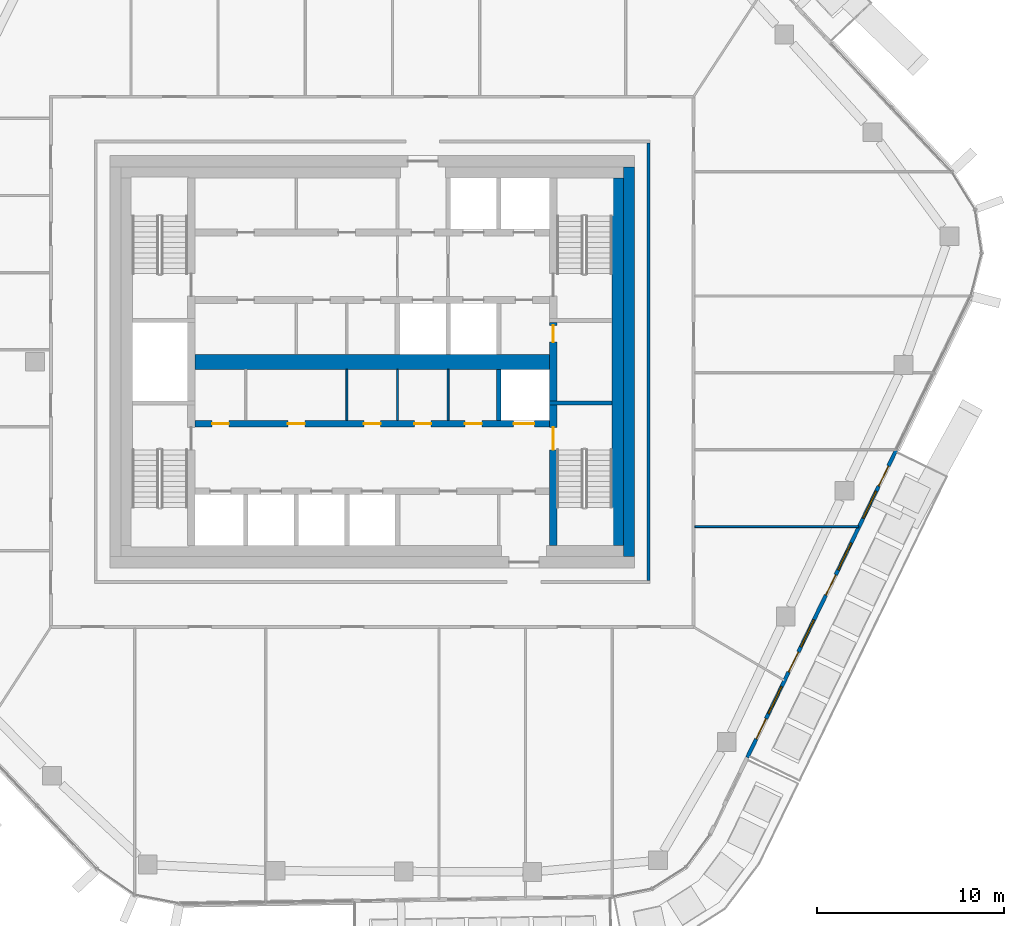
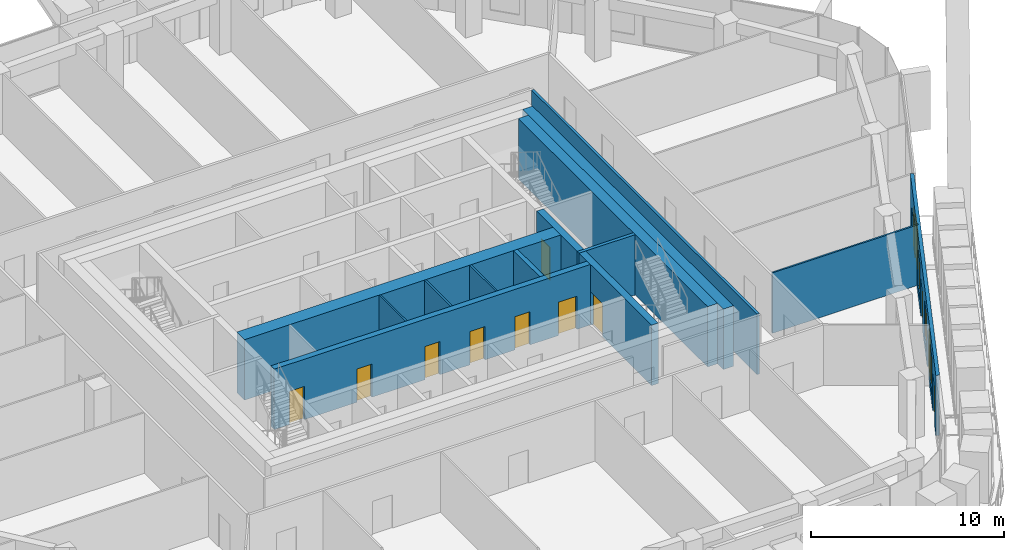
# One storey, part 14 of 24: 14 walls, 12 doors, 4 windows, 16 openings.
"""IFC4 building model written with IfcOpenShell, lengths in metres."""

from ifc_helpers import new_model, si_unit, direction, frame, frame_2d, origin, place, context, subcontext, project, spatial, rectangle, extrude, material, layer, layer_set, type_object, element, fill, save


model = new_model("IFC4")

# Units and contexts
model_context = context("Model", 3, precision=1e-05, world=origin(), true_north=direction((0.0, 1.0)))
body_context = subcontext(model_context, "Body", "Model", "MODEL_VIEW")
ifc_project = project(units=[si_unit("LENGTHUNIT", "METRE"), si_unit("AREAUNIT", "SQUARE_METRE"), si_unit("VOLUMEUNIT", "CUBIC_METRE"), si_unit("PLANEANGLEUNIT", "RADIAN"), si_unit("MASSUNIT", "GRAM", prefix="KILO")], contexts=[model_context])

# Site, building, storey
site_placement = place(None, origin())
site = spatial("IfcSite", under=ifc_project, at=site_placement, CompositionType="ELEMENT")
building_placement = place(site_placement, origin())
building = spatial("IfcBuilding", under=site, at=building_placement, Name="Dongbaek Canopy Tower", CompositionType="ELEMENT")
storey_placement = place(building_placement, frame((0.0, 0.0, 298.39990234375)))
storey = spatial("IfcBuildingStorey", under=building, at=storey_placement, Name="L63", CompositionType="ELEMENT", Elevation=298.39990234375)

# Wall
ifc_material_1 = material(Name="Concrete C60/75", Category="concrete")
ifc_layer_1 = layer(ifc_material_1, 0.800048828125)
ifc_layer_set_1 = layer_set([ifc_layer_1], Name="Core central wall 800 Concrete C60/75")
wall_type_1 = type_object("IfcWallType", Name="Core central wall 800 Concrete C60/75", PredefinedType="SHEAR", material=ifc_layer_set_1)
wall_1_placement = place(storey_placement, frame((-9.449951171875, 0.0, 0.0), z_axis=(0.0, 0.0, 1.0), x_axis=(1.0, 0.0, 0.0)))
element("IfcWall", 1, at=wall_1_placement, inside=storey, type_object=wall_type_1, Name="Core wall", PredefinedType="SHEAR", context=body_context, shape_type="SweptSolid", body=[
    extrude(rectangle(XDim=18.89990234375, YDim=0.800048828125, at=frame_2d((9.449951171875, 0.0))), origin(), (0.0, 0.0, 1.0), 3.820068359375),
])

# Wall, openings, doors
ifc_material_2 = material(Name="Concrete C60/75", Category="concrete")
ifc_layer_2 = layer(ifc_material_2, 0.35009765625)
ifc_layer_set_2 = layer_set([ifc_layer_2], Name="Core lobby wall 350 Concrete C60/75")
wall_type_2 = type_object("IfcWallType", Name="Core lobby wall 350 Concrete C60/75", PredefinedType="SHEAR", material=ifc_layer_set_2)
wall_2_placement = place(storey_placement, frame((-9.449951171875, -3.300048828125, 0.0), z_axis=(0.0, 0.0, 1.0), x_axis=(1.0, 0.0, 0.0)))
wall_2 = element("IfcWall", 2, at=wall_2_placement, inside=storey, type_object=wall_type_2, Name="Core wall", PredefinedType="SHEAR", context=body_context, shape_type="SweptSolid", body=[
    extrude(rectangle(XDim=18.89990234375, YDim=0.35009765625, at=frame_2d((9.449951171875, 0.0))), origin(), (0.0, 0.0, 1.0), 3.820068359375),
])
opening_1_placement = place(wall_2_placement, frame((17.0, 0.0, 0.0)))
opening_1 = element("IfcOpeningElement", 3, at=opening_1_placement, cuts=wall_2, Name="Opening L63-D034", PredefinedType="OPENING", context=body_context, shape_type="SweptSolid", body=[
    extrude(rectangle(XDim=1.10009765625, YDim=2.10009765625, at=frame_2d((0.550048828125, 1.050048828125))), frame((0.0, 0.18505859375, 0.0), z_axis=(0.0, -1.0, 0.0), x_axis=(1.0, 0.0, 0.0)), (0.0, 0.0, 1.0), 0.3701171875),
])
opening_2_placement = place(wall_2_placement, frame((0.89990234375, 0.0, 0.0)))
opening_2 = element("IfcOpeningElement", 4, at=opening_2_placement, cuts=wall_2, Name="Opening L63-D046", PredefinedType="OPENING", context=body_context, shape_type="SweptSolid", body=[
    extrude(rectangle(XDim=0.89990234375, YDim=2.10009765625, at=frame_2d((0.449951171875, 1.050048828125))), frame((0.0, 0.18505859375, 0.0), z_axis=(0.0, -1.0, 0.0), x_axis=(1.0, 0.0, 0.0)), (0.0, 0.0, 1.0), 0.3701171875),
])
opening_3_placement = place(wall_2_placement, frame((4.949951171875, 0.0, 0.0)))
opening_3 = element("IfcOpeningElement", 5, at=opening_3_placement, cuts=wall_2, Name="Opening L63-D047", PredefinedType="OPENING", context=body_context, shape_type="SweptSolid", body=[
    extrude(rectangle(XDim=0.89990234375, YDim=2.10009765625, at=frame_2d((0.449951171875, 1.050048828125))), frame((0.0, 0.18505859375, 0.0), z_axis=(0.0, -1.0, 0.0), x_axis=(1.0, 0.0, 0.0)), (0.0, 0.0, 1.0), 0.3701171875),
])
opening_4_placement = place(wall_2_placement, frame((9.0, 0.0, 0.0)))
opening_4 = element("IfcOpeningElement", 6, at=opening_4_placement, cuts=wall_2, Name="Opening L63-D048", PredefinedType="OPENING", context=body_context, shape_type="SweptSolid", body=[
    extrude(rectangle(XDim=0.89990234375, YDim=2.10009765625, at=frame_2d((0.449951171875, 1.050048828125))), frame((0.0, 0.18505859375, 0.0), z_axis=(0.0, -1.0, 0.0), x_axis=(1.0, 0.0, 0.0)), (0.0, 0.0, 1.0), 0.3701171875),
])
opening_5_placement = place(wall_2_placement, frame((11.699951171875, 0.0, 0.0)))
opening_5 = element("IfcOpeningElement", 7, at=opening_5_placement, cuts=wall_2, Name="Opening L63-D049", PredefinedType="OPENING", context=body_context, shape_type="SweptSolid", body=[
    extrude(rectangle(XDim=0.89990234375, YDim=2.10009765625, at=frame_2d((0.449951171875, 1.050048828125))), frame((0.0, 0.18505859375, 0.0), z_axis=(0.0, -1.0, 0.0), x_axis=(1.0, 0.0, 0.0)), (0.0, 0.0, 1.0), 0.3701171875),
])
opening_6_placement = place(wall_2_placement, frame((14.39990234375, 0.0, 0.0)))
opening_6 = element("IfcOpeningElement", 8, at=opening_6_placement, cuts=wall_2, Name="Opening L63-D050", PredefinedType="OPENING", context=body_context, shape_type="SweptSolid", body=[
    extrude(rectangle(XDim=0.89990234375, YDim=2.10009765625, at=frame_2d((0.449951171875, 1.050048828125))), frame((0.0, 0.18505859375, 0.0), z_axis=(0.0, -1.0, 0.0), x_axis=(1.0, 0.0, 0.0)), (0.0, 0.0, 1.0), 0.3701171875),
])
ifc_material_3 = material(Name="Steel", Category="steel")
door_type_1 = type_object("IfcDoorType", Name="Core room door 900 x 2100", OperationType="SINGLE_SWING_LEFT", PredefinedType="DOOR", material=ifc_material_3)
door_1_placement = place(opening_2_placement, origin())
door_1 = element("IfcDoor", 9, at=door_1_placement, inside=storey, type_object=door_type_1, Name="Door L63-D046", OperationType="SINGLE_SWING_LEFT", OverallHeight=2.10009765625, OverallWidth=0.89990234375, PredefinedType="DOOR", context=body_context, shape_type="SweptSolid", body=[
    extrude(rectangle(XDim=0.89990234375, YDim=2.10009765625, at=frame_2d((0.449951171875, 1.050048828125))), frame((0.0, 0.02490234375, 0.0), z_axis=(0.0, -1.0, 0.0), x_axis=(1.0, 0.0, 0.0)), (0.0, 0.0, 1.0), 0.050048828125),
])
fill(opening_2, door_1)
door_2_placement = place(opening_3_placement, origin())
door_2 = element("IfcDoor", 10, at=door_2_placement, inside=storey, type_object=door_type_1, Name="Door L63-D047", OperationType="SINGLE_SWING_RIGHT", OverallHeight=2.10009765625, OverallWidth=0.89990234375, PredefinedType="DOOR", context=body_context, shape_type="SweptSolid", body=[
    extrude(rectangle(XDim=0.89990234375, YDim=2.10009765625, at=frame_2d((0.449951171875, 1.050048828125))), frame((0.0, 0.02490234375, 0.0), z_axis=(0.0, -1.0, 0.0), x_axis=(1.0, 0.0, 0.0)), (0.0, 0.0, 1.0), 0.050048828125),
])
fill(opening_3, door_2)
door_3_placement = place(opening_4_placement, origin())
door_3 = element("IfcDoor", 11, at=door_3_placement, inside=storey, type_object=door_type_1, Name="Door L63-D048", OperationType="SINGLE_SWING_LEFT", OverallHeight=2.10009765625, OverallWidth=0.89990234375, PredefinedType="DOOR", context=body_context, shape_type="SweptSolid", body=[
    extrude(rectangle(XDim=0.89990234375, YDim=2.10009765625, at=frame_2d((0.449951171875, 1.050048828125))), frame((0.0, 0.02490234375, 0.0), z_axis=(0.0, -1.0, 0.0), x_axis=(1.0, 0.0, 0.0)), (0.0, 0.0, 1.0), 0.050048828125),
])
fill(opening_4, door_3)
door_4_placement = place(opening_5_placement, origin())
door_4 = element("IfcDoor", 12, at=door_4_placement, inside=storey, type_object=door_type_1, Name="Door L63-D049", OperationType="SINGLE_SWING_RIGHT", OverallHeight=2.10009765625, OverallWidth=0.89990234375, PredefinedType="DOOR", context=body_context, shape_type="SweptSolid", body=[
    extrude(rectangle(XDim=0.89990234375, YDim=2.10009765625, at=frame_2d((0.449951171875, 1.050048828125))), frame((0.0, 0.02490234375, 0.0), z_axis=(0.0, -1.0, 0.0), x_axis=(1.0, 0.0, 0.0)), (0.0, 0.0, 1.0), 0.050048828125),
])
fill(opening_5, door_4)
door_5_placement = place(opening_6_placement, origin())
door_5 = element("IfcDoor", 13, at=door_5_placement, inside=storey, type_object=door_type_1, Name="Door L63-D050", OperationType="SINGLE_SWING_LEFT", OverallHeight=2.10009765625, OverallWidth=0.89990234375, PredefinedType="DOOR", context=body_context, shape_type="SweptSolid", body=[
    extrude(rectangle(XDim=0.89990234375, YDim=2.10009765625, at=frame_2d((0.449951171875, 1.050048828125))), frame((0.0, 0.02490234375, 0.0), z_axis=(0.0, -1.0, 0.0), x_axis=(1.0, 0.0, 0.0)), (0.0, 0.0, 1.0), 0.050048828125),
])
fill(opening_6, door_5)
ifc_material_4 = material(Name="Stainless steel", Category="steel")
door_type_2 = type_object("IfcDoorType", Name="Lift landing door 1100 x 2100", OperationType="DOUBLE_DOOR_SLIDING", PredefinedType="DOOR", material=ifc_material_4)
door_6_placement = place(opening_1_placement, origin())
door_6 = element("IfcDoor", 14, at=door_6_placement, inside=storey, type_object=door_type_2, Name="Landing door SV2", OperationType="DOUBLE_DOOR_SLIDING", OverallHeight=2.10009765625, OverallWidth=1.10009765625, PredefinedType="DOOR", context=body_context, shape_type="SweptSolid", body=[
    extrude(rectangle(XDim=1.10009765625, YDim=2.10009765625, at=frame_2d((0.550048828125, 1.050048828125))), frame((0.0, 0.02490234375, 0.0), z_axis=(0.0, -1.0, 0.0), x_axis=(1.0, 0.0, 0.0)), (0.0, 0.0, 1.0), 0.050048828125),
])
fill(opening_1, door_6)

# Walls
ifc_material_5 = material(Name="Concrete C80/95", Category="concrete")
ifc_layer_3 = layer(ifc_material_5, 0.60009765625)
ifc_layer_set_3 = layer_set([ifc_layer_3], Name="Core outer wall 600 Concrete C80/95")
wall_type_3 = type_object("IfcWallType", Name="Core outer wall 600 Concrete C80/95", PredefinedType="SHEAR", material=ifc_layer_set_3)
wall_3_placement = place(storey_placement, frame((13.699951171875, 10.39990234375, 0.0), z_axis=(0.0, 0.0, 1.0), x_axis=(0.0, -1.0, 0.0)))
element("IfcWall", 15, at=wall_3_placement, inside=storey, type_object=wall_type_3, Name="Core wall", PredefinedType="SHEAR", context=body_context, shape_type="SweptSolid", body=[
    extrude(rectangle(XDim=20.7998046875, YDim=0.60009765625, at=frame_2d((10.39990234375, 0.0))), origin(), (0.0, 0.0, 1.0), 3.820068359375),
])
ifc_material_6 = material(Name="Concrete C60/75", Category="concrete")
ifc_layer_4 = layer(ifc_material_6, 0.60009765625)
ifc_layer_set_4 = layer_set([ifc_layer_4], Name="Core wall lining 600 Concrete C60/75")
wall_type_4 = type_object("IfcWallType", Name="Core wall lining 600 Concrete C60/75", PredefinedType="SHEAR", material=ifc_layer_set_4)
wall_4_placement = place(storey_placement, frame((13.10009765625, 9.800048828125, 0.0), z_axis=(0.0, 0.0, 1.0), x_axis=(0.0, -1.0, 0.0)))
element("IfcWall", 16, at=wall_4_placement, inside=storey, type_object=wall_type_4, Name="Core wall lining", PredefinedType="SHEAR", context=body_context, shape_type="SweptSolid", body=[
    extrude(rectangle(XDim=19.60009765625, YDim=0.60009765625, at=frame_2d((9.800048828125, 0.0))), origin(), (0.0, 0.0, 1.0), 3.820068359375),
])
ifc_material_7 = material(Name="Gypsum board partition, steel stud, 2 x 15 mm fire board", Category="steel")
ifc_layer_5 = layer(ifc_material_7, 0.14990234375)
ifc_layer_set_5 = layer_set([ifc_layer_5], Name="Fire-rated partition 150 gypsum board")
wall_type_5 = type_object("IfcWallType", Name="Fire-rated partition 150 gypsum board", PredefinedType="PARTITIONING", material=ifc_layer_set_5)
wall_5_placement = place(storey_placement, frame((14.75, -11.675048828125, 0.0), z_axis=(0.0, 0.0, 1.0), x_axis=(0.0, 1.0, 0.0)))
element("IfcWall", 17, at=wall_5_placement, inside=storey, type_object=wall_type_5, Name="Corridor partition", PredefinedType="PARTITIONING", context=body_context, shape_type="SweptSolid", body=[
    extrude(rectangle(XDim=23.35009765625, YDim=0.14990234375, at=frame_2d((11.675048828125, 0.0))), origin(), (0.0, 0.0, 1.0), 3.820068359375),
])
ifc_material_8 = material(Name="Concrete C40/50", Category="concrete")
ifc_layer_6 = layer(ifc_material_8, 0.25)
ifc_layer_set_6 = layer_set([ifc_layer_6], Name="Lift shaft wall 250 Concrete C40/50")
wall_type_6 = type_object("IfcWallType", Name="Lift shaft wall 250 Concrete C40/50", PredefinedType="SOLIDWALL", material=ifc_layer_set_6)
wall_6_placement = place(storey_placement, frame((6.75, -3.125, 0.0), z_axis=(0.0, 0.0, 1.0), x_axis=(0.0, 1.0, 0.0)))
element("IfcWall", 18, at=wall_6_placement, inside=storey, type_object=wall_type_6, Name="Lift shaft wall", PredefinedType="SOLIDWALL", context=body_context, shape_type="SweptSolid", body=[
    extrude(rectangle(XDim=2.72509765625, YDim=0.25, at=frame_2d((1.362548828125, 0.0))), origin(), (0.0, 0.0, 1.0), 3.820068359375),
])
ifc_material_9 = material(Name="Gypsum board partition, steel stud, 2 x 12.5 mm board", Category="steel")
ifc_layer_7 = layer(ifc_material_9, 0.10009765625)
ifc_layer_set_7 = layer_set([ifc_layer_7], Name="Partition 100 gypsum board")
wall_type_7 = type_object("IfcWallType", Name="Partition 100 gypsum board", PredefinedType="PARTITIONING", material=ifc_layer_set_7)
wall_7_placement = place(storey_placement, frame((17.22509765625, -8.798095703125, 0.0), z_axis=(0.0, 0.0, 1.0), x_axis=(1.0, 0.0, 0.0)))
element("IfcWall", 19, at=wall_7_placement, inside=storey, type_object=wall_type_7, Name="Partition", PredefinedType="PARTITIONING", context=body_context, shape_type="SweptSolid", body=[
    extrude(rectangle(XDim=8.735107421875, YDim=0.10009765625, at=frame_2d((4.36767578125, 0.0))), origin(), (0.0, 0.0, 1.0), 3.820068359375),
])
for number, where, z_axis, x_axis, name in (
    (20, (4.050048828125, -3.125, 0.0), (0.0, 0.0, 1.0), (0.0, 1.0, 0.0), "Core partition"),
    (21, (1.35009765625, -3.125, 0.0), (0.0, 0.0, 1.0), (0.0, 1.0, 0.0), "Core partition"),
    (22, (-1.35009765625, -3.125, 0.0), (0.0, 0.0, 1.0), (0.0, 1.0, 0.0), "Core partition"),
):
    element("IfcWall", number, at=place(storey_placement, frame(where, z_axis=z_axis, x_axis=x_axis)), inside=storey, type_object=wall_type_7, Name=name, PredefinedType="PARTITIONING", context=body_context, shape_type="SweptSolid", body=[
        extrude(rectangle(XDim=2.72509765625, YDim=0.10009765625, at=frame_2d((1.362548828125, 0.0))), origin(), (0.0, 0.0, 1.0), 3.820068359375),
    ])
ifc_material_10 = material(Name="Concrete C60/75", Category="concrete")
ifc_layer_8 = layer(ifc_material_10, 0.199951171875)
ifc_layer_set_8 = layer_set([ifc_layer_8], Name="Riser wall 200 Concrete C60/75")
wall_type_8 = type_object("IfcWallType", Name="Riser wall 200 Concrete C60/75", PredefinedType="SHEAR", material=ifc_layer_set_8)
wall_8_placement = place(storey_placement, frame((9.449951171875, -2.199951171875, 0.0), z_axis=(0.0, 0.0, 1.0), x_axis=(1.0, 0.0, 0.0)))
element("IfcWall", 23, at=wall_8_placement, inside=storey, type_object=wall_type_8, Name="Riser wall", PredefinedType="SHEAR", context=body_context, shape_type="SweptSolid", body=[
    extrude(rectangle(XDim=3.35009765625, YDim=0.199951171875, at=frame_2d((1.675048828125, 0.0))), origin(), (0.0, 0.0, 1.0), 3.820068359375),
])

# Wall, opening, door
ifc_material_11 = material(Name="Concrete C60/75", Category="concrete")
ifc_layer_9 = layer(ifc_material_11, 0.39990234375)
ifc_layer_set_9 = layer_set([ifc_layer_9], Name="Stair wall 400 Concrete C60/75")
wall_type_9 = type_object("IfcWallType", Name="Stair wall 400 Concrete C60/75", PredefinedType="SHEAR", material=ifc_layer_set_9)
wall_9_placement = place(storey_placement, frame((9.64990234375, -2.300048828125, 0.0), z_axis=(0.0, 0.0, 1.0), x_axis=(0.0, -1.0, 0.0)))
wall_9 = element("IfcWall", 24, at=wall_9_placement, inside=storey, type_object=wall_type_9, Name="Stair wall", PredefinedType="SHEAR", context=body_context, shape_type="SweptSolid", body=[
    extrude(rectangle(XDim=7.5, YDim=0.39990234375, at=frame_2d((3.75, 0.0))), origin(), (0.0, 0.0, 1.0), 3.820068359375),
])
opening_7_placement = place(wall_9_placement, frame((1.199951171875, 0.0, 0.0)))
opening_7 = element("IfcOpeningElement", 25, at=opening_7_placement, cuts=wall_9, Name="Opening L63-D054", PredefinedType="OPENING", context=body_context, shape_type="SweptSolid", body=[
    extrude(rectangle(XDim=1.199951171875, YDim=2.10009765625, at=frame_2d((0.60009765625, 1.050048828125))), frame((0.0, 0.2099609375, 0.0), z_axis=(0.0, -1.0, 0.0), x_axis=(1.0, 0.0, 0.0)), (0.0, 0.0, 1.0), 0.419921875),
])
ifc_material_12 = material(Name="Steel", Category="steel")
door_type_3 = type_object("IfcDoorType", Name="Stair door 1200 x 2100", OperationType="SINGLE_SWING_LEFT", PredefinedType="DOOR", material=ifc_material_12)
door_7_placement = place(opening_7_placement, origin())
door_7 = element("IfcDoor", 26, at=door_7_placement, inside=storey, type_object=door_type_3, Name="Stair B door", OperationType="SINGLE_SWING_RIGHT", OverallHeight=2.10009765625, OverallWidth=1.199951171875, PredefinedType="DOOR", context=body_context, shape_type="SweptSolid", body=[
    extrude(rectangle(XDim=1.199951171875, YDim=2.10009765625, at=frame_2d((0.60009765625, 1.050048828125))), frame((0.0, 0.02490234375, 0.0), z_axis=(0.0, -1.0, 0.0), x_axis=(1.0, 0.0, 0.0)), (0.0, 0.0, 1.0), 0.050048828125),
])
fill(opening_7, door_7)

wall_10_placement = place(storey_placement, frame((9.64990234375, 2.10009765625, 0.0), z_axis=(0.0, 0.0, 1.0), x_axis=(0.0, -1.0, 0.0)))
wall_10 = element("IfcWall", 27, at=wall_10_placement, inside=storey, type_object=wall_type_9, Name="Stair wall", PredefinedType="SHEAR", context=body_context, shape_type="SweptSolid", body=[
    extrude(rectangle(XDim=4.2001953125, YDim=0.39990234375, at=frame_2d((2.10009765625, 0.0))), origin(), (0.0, 0.0, 1.0), 3.820068359375),
])
opening_8_placement = place(wall_10_placement, frame((0.14990234375, 0.0, 0.0)))
opening_8 = element("IfcOpeningElement", 28, at=opening_8_placement, cuts=wall_10, Name="Opening L63-D026", PredefinedType="OPENING", context=body_context, shape_type="SweptSolid", body=[
    extrude(rectangle(XDim=0.89990234375, YDim=2.10009765625, at=frame_2d((0.449951171875, 1.050048828125))), frame((0.0, 0.2099609375, 0.0), z_axis=(0.0, -1.0, 0.0), x_axis=(1.0, 0.0, 0.0)), (0.0, 0.0, 1.0), 0.419921875),
])
door_8_placement = place(opening_8_placement, origin())
door_8 = element("IfcDoor", 29, at=door_8_placement, inside=storey, type_object=door_type_1, Name="Door L63-D026", OperationType="SINGLE_SWING_RIGHT", OverallHeight=2.10009765625, OverallWidth=0.89990234375, PredefinedType="DOOR", context=body_context, shape_type="SweptSolid", body=[
    extrude(rectangle(XDim=0.89990234375, YDim=2.10009765625, at=frame_2d((0.449951171875, 1.050048828125))), frame((0.0, 0.02490234375, 0.0), z_axis=(0.0, -1.0, 0.0), x_axis=(1.0, 0.0, 0.0)), (0.0, 0.0, 1.0), 0.050048828125),
])
fill(opening_8, door_8)

# Wall, openings, doors, windows
ifc_material_13 = material(Name="Aluminium window wall", Category="aluminium")
ifc_layer_10 = layer(ifc_material_13, 0.199951171875)
ifc_layer_set_10 = layer_set([ifc_layer_10], Name="Window wall 200")
wall_type_10 = type_object("IfcWallType", Name="Window wall 200", PredefinedType="SOLIDWALL", material=ifc_layer_set_10)
wall_11_placement = place(storey_placement, frame((20.016845703125, -21.115966796875, 0.0), z_axis=(0.0, 0.0, 1.0), x_axis=(0.435859541182, 0.90001470008, 0.0)))
wall_11 = element("IfcWall", 30, at=wall_11_placement, inside=storey, type_object=wall_type_10, Name="Window wall L63 5", PredefinedType="SOLIDWALL", context=body_context, shape_type="SweptSolid", body=[
    extrude(rectangle(XDim=18.248779296875, YDim=0.199951171875, at=frame_2d((9.12451171875, 0.0))), origin(), (0.0, 0.0, 1.0), 3.820068359375),
])
opening_9_placement = place(wall_11_placement, frame((2.60009765625, 0.0, 0.60009765625)))
opening_9 = element("IfcOpeningElement", 31, at=opening_9_placement, cuts=wall_11, Name="Opening W1", PredefinedType="OPENING", context=body_context, shape_type="SweptSolid", body=[
    extrude(rectangle(XDim=1.60009765625, YDim=2.39990234375, at=frame_2d((0.800048828125, 1.199951171875))), frame((0.0, 0.10986328125, 0.0), z_axis=(0.0, -1.0, 0.0), x_axis=(1.0, 0.0, 0.0)), (0.0, 0.0, 1.0), 0.219970703125),
])
opening_10_placement = place(wall_11_placement, frame((1.10009765625, 0.0, 0.0)))
opening_10 = element("IfcOpeningElement", 32, at=opening_10_placement, cuts=wall_11, Name="Opening L63-B13", PredefinedType="OPENING", context=body_context, shape_type="SweptSolid", body=[
    extrude(rectangle(XDim=1.199951171875, YDim=2.39990234375, at=frame_2d((0.60009765625, 1.199951171875))), frame((0.0, 0.10986328125, 0.0), z_axis=(0.0, -1.0, 0.0), x_axis=(1.0, 0.0, 0.0)), (0.0, 0.0, 1.0), 0.219970703125),
])
opening_11_placement = place(wall_11_placement, frame((6.562255859375, 0.0, 0.60009765625)))
opening_11 = element("IfcOpeningElement", 33, at=opening_11_placement, cuts=wall_11, Name="Opening W1", PredefinedType="OPENING", context=body_context, shape_type="SweptSolid", body=[
    extrude(rectangle(XDim=1.60009765625, YDim=2.39990234375, at=frame_2d((0.800048828125, 1.199951171875))), frame((0.0, 0.10986328125, 0.0), z_axis=(0.0, -1.0, 0.0), x_axis=(1.0, 0.0, 0.0)), (0.0, 0.0, 1.0), 0.219970703125),
])
opening_12_placement = place(wall_11_placement, frame((5.062255859375, 0.0, 0.0)))
opening_12 = element("IfcOpeningElement", 34, at=opening_12_placement, cuts=wall_11, Name="Opening L63-B14", PredefinedType="OPENING", context=body_context, shape_type="SweptSolid", body=[
    extrude(rectangle(XDim=1.199951171875, YDim=2.39990234375, at=frame_2d((0.60009765625, 1.199951171875))), frame((0.0, 0.10986328125, 0.0), z_axis=(0.0, -1.0, 0.0), x_axis=(1.0, 0.0, 0.0)), (0.0, 0.0, 1.0), 0.219970703125),
])
opening_13_placement = place(wall_11_placement, frame((11.12451171875, 0.0, 0.60009765625)))
opening_13 = element("IfcOpeningElement", 35, at=opening_13_placement, cuts=wall_11, Name="Opening W1", PredefinedType="OPENING", context=body_context, shape_type="SweptSolid", body=[
    extrude(rectangle(XDim=1.60009765625, YDim=2.39990234375, at=frame_2d((0.800048828125, 1.199951171875))), frame((0.0, 0.10986328125, 0.0), z_axis=(0.0, -1.0, 0.0), x_axis=(1.0, 0.0, 0.0)), (0.0, 0.0, 1.0), 0.219970703125),
])
opening_14_placement = place(wall_11_placement, frame((9.62451171875, 0.0, 0.0)))
opening_14 = element("IfcOpeningElement", 36, at=opening_14_placement, cuts=wall_11, Name="Opening L63-B15", PredefinedType="OPENING", context=body_context, shape_type="SweptSolid", body=[
    extrude(rectangle(XDim=1.199951171875, YDim=2.39990234375, at=frame_2d((0.60009765625, 1.199951171875))), frame((0.0, 0.10986328125, 0.0), z_axis=(0.0, -1.0, 0.0), x_axis=(1.0, 0.0, 0.0)), (0.0, 0.0, 1.0), 0.219970703125),
])
opening_15_placement = place(wall_11_placement, frame((14.1865234375, 0.0, 0.60009765625)))
opening_15 = element("IfcOpeningElement", 37, at=opening_15_placement, cuts=wall_11, Name="Opening W1", PredefinedType="OPENING", context=body_context, shape_type="SweptSolid", body=[
    extrude(rectangle(XDim=1.60009765625, YDim=2.39990234375, at=frame_2d((0.800048828125, 1.199951171875))), frame((0.0, 0.10986328125, 0.0), z_axis=(0.0, -1.0, 0.0), x_axis=(1.0, 0.0, 0.0)), (0.0, 0.0, 1.0), 0.219970703125),
])
opening_16_placement = place(wall_11_placement, frame((16.086669921875, 0.0, 0.0)))
opening_16 = element("IfcOpeningElement", 38, at=opening_16_placement, cuts=wall_11, Name="Opening L63-B16", PredefinedType="OPENING", context=body_context, shape_type="SweptSolid", body=[
    extrude(rectangle(XDim=1.199951171875, YDim=2.39990234375, at=frame_2d((0.60009765625, 1.199951171875))), frame((0.0, 0.10986328125, 0.0), z_axis=(0.0, -1.0, 0.0), x_axis=(1.0, 0.0, 0.0)), (0.0, 0.0, 1.0), 0.219970703125),
])
ifc_material_14 = material(Name="Clear glazing in aluminium frame", Category="aluminium")
door_type_4 = type_object("IfcDoorType", Name="Balcony door BD1 1200 x 2400", OperationType="SLIDING_TO_LEFT", PredefinedType="DOOR", material=ifc_material_14)
door_9_placement = place(opening_10_placement, origin())
door_9 = element("IfcDoor", 39, at=door_9_placement, inside=storey, type_object=door_type_4, Name="Balcony door L63-B13", OperationType="SLIDING_TO_LEFT", OverallHeight=2.39990234375, OverallWidth=1.199951171875, PredefinedType="DOOR", context=body_context, shape_type="SweptSolid", body=[
    extrude(rectangle(XDim=1.199951171875, YDim=2.39990234375, at=frame_2d((0.60009765625, 1.199951171875))), frame((0.0, 0.02490234375, 0.0), z_axis=(0.0, -1.0, 0.0), x_axis=(1.0, 0.0, 0.0)), (0.0, 0.0, 1.0), 0.050048828125),
])
fill(opening_10, door_9)
door_10_placement = place(opening_12_placement, origin())
door_10 = element("IfcDoor", 40, at=door_10_placement, inside=storey, type_object=door_type_4, Name="Balcony door L63-B14", OperationType="SLIDING_TO_LEFT", OverallHeight=2.39990234375, OverallWidth=1.199951171875, PredefinedType="DOOR", context=body_context, shape_type="SweptSolid", body=[
    extrude(rectangle(XDim=1.199951171875, YDim=2.39990234375, at=frame_2d((0.60009765625, 1.199951171875))), frame((0.0, 0.02490234375, 0.0), z_axis=(0.0, -1.0, 0.0), x_axis=(1.0, 0.0, 0.0)), (0.0, 0.0, 1.0), 0.050048828125),
])
fill(opening_12, door_10)
door_11_placement = place(opening_14_placement, origin())
door_11 = element("IfcDoor", 41, at=door_11_placement, inside=storey, type_object=door_type_4, Name="Balcony door L63-B15", OperationType="SLIDING_TO_LEFT", OverallHeight=2.39990234375, OverallWidth=1.199951171875, PredefinedType="DOOR", context=body_context, shape_type="SweptSolid", body=[
    extrude(rectangle(XDim=1.199951171875, YDim=2.39990234375, at=frame_2d((0.60009765625, 1.199951171875))), frame((0.0, 0.02490234375, 0.0), z_axis=(0.0, -1.0, 0.0), x_axis=(1.0, 0.0, 0.0)), (0.0, 0.0, 1.0), 0.050048828125),
])
fill(opening_14, door_11)
door_12_placement = place(opening_16_placement, origin())
door_12 = element("IfcDoor", 42, at=door_12_placement, inside=storey, type_object=door_type_4, Name="Balcony door L63-B16", OperationType="SLIDING_TO_LEFT", OverallHeight=2.39990234375, OverallWidth=1.199951171875, PredefinedType="DOOR", context=body_context, shape_type="SweptSolid", body=[
    extrude(rectangle(XDim=1.199951171875, YDim=2.39990234375, at=frame_2d((0.60009765625, 1.199951171875))), frame((0.0, 0.02490234375, 0.0), z_axis=(0.0, -1.0, 0.0), x_axis=(1.0, 0.0, 0.0)), (0.0, 0.0, 1.0), 0.050048828125),
])
fill(opening_16, door_12)
ifc_material_15 = material(Name="Clear glazing in aluminium frame", Category="aluminium")
window_type = type_object("IfcWindowType", Name="Window W1 1600 x 2400", PartitioningType="SINGLE_PANEL", PredefinedType="WINDOW", material=ifc_material_15)
window_1_placement = place(opening_9_placement, origin())
window_1 = element("IfcWindow", 43, at=window_1_placement, inside=storey, type_object=window_type, Name="Window L63 5.1", OverallHeight=2.39990234375, OverallWidth=1.60009765625, PartitioningType="SINGLE_PANEL", PredefinedType="WINDOW", context=body_context, shape_type="SweptSolid", body=[
    extrude(rectangle(XDim=1.60009765625, YDim=2.39990234375, at=frame_2d((0.800048828125, 1.199951171875))), frame((0.0, 0.030029296875, 0.0), z_axis=(0.0, -1.0, 0.0), x_axis=(1.0, 0.0, 0.0)), (0.0, 0.0, 1.0), 0.06005859375),
])
fill(opening_9, window_1)
window_2_placement = place(opening_11_placement, origin())
window_2 = element("IfcWindow", 44, at=window_2_placement, inside=storey, type_object=window_type, Name="Window L63 5.2", OverallHeight=2.39990234375, OverallWidth=1.60009765625, PartitioningType="SINGLE_PANEL", PredefinedType="WINDOW", context=body_context, shape_type="SweptSolid", body=[
    extrude(rectangle(XDim=1.60009765625, YDim=2.39990234375, at=frame_2d((0.800048828125, 1.199951171875))), frame((0.0, 0.030029296875, 0.0), z_axis=(0.0, -1.0, 0.0), x_axis=(1.0, 0.0, 0.0)), (0.0, 0.0, 1.0), 0.06005859375),
])
fill(opening_11, window_2)
window_3_placement = place(opening_13_placement, origin())
window_3 = element("IfcWindow", 45, at=window_3_placement, inside=storey, type_object=window_type, Name="Window L63 5.3", OverallHeight=2.39990234375, OverallWidth=1.60009765625, PartitioningType="SINGLE_PANEL", PredefinedType="WINDOW", context=body_context, shape_type="SweptSolid", body=[
    extrude(rectangle(XDim=1.60009765625, YDim=2.39990234375, at=frame_2d((0.800048828125, 1.199951171875))), frame((0.0, 0.030029296875, 0.0), z_axis=(0.0, -1.0, 0.0), x_axis=(1.0, 0.0, 0.0)), (0.0, 0.0, 1.0), 0.06005859375),
])
fill(opening_13, window_3)
window_4_placement = place(opening_15_placement, origin())
window_4 = element("IfcWindow", 46, at=window_4_placement, inside=storey, type_object=window_type, Name="Window L63 5.4", OverallHeight=2.39990234375, OverallWidth=1.60009765625, PartitioningType="SINGLE_PANEL", PredefinedType="WINDOW", context=body_context, shape_type="SweptSolid", body=[
    extrude(rectangle(XDim=1.60009765625, YDim=2.39990234375, at=frame_2d((0.800048828125, 1.199951171875))), frame((0.0, 0.030029296875, 0.0), z_axis=(0.0, -1.0, 0.0), x_axis=(1.0, 0.0, 0.0)), (0.0, 0.0, 1.0), 0.06005859375),
])
fill(opening_15, window_4)

save(model, "model.ifc")
